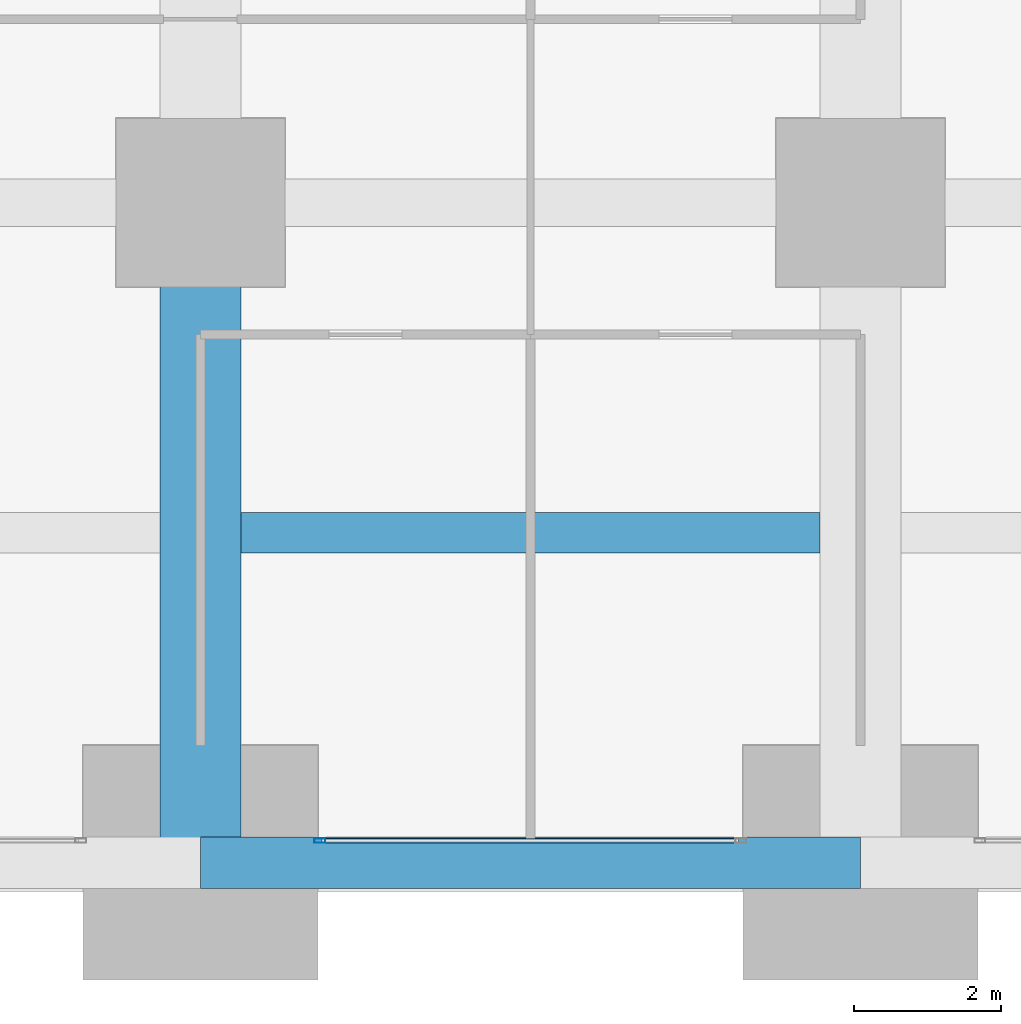
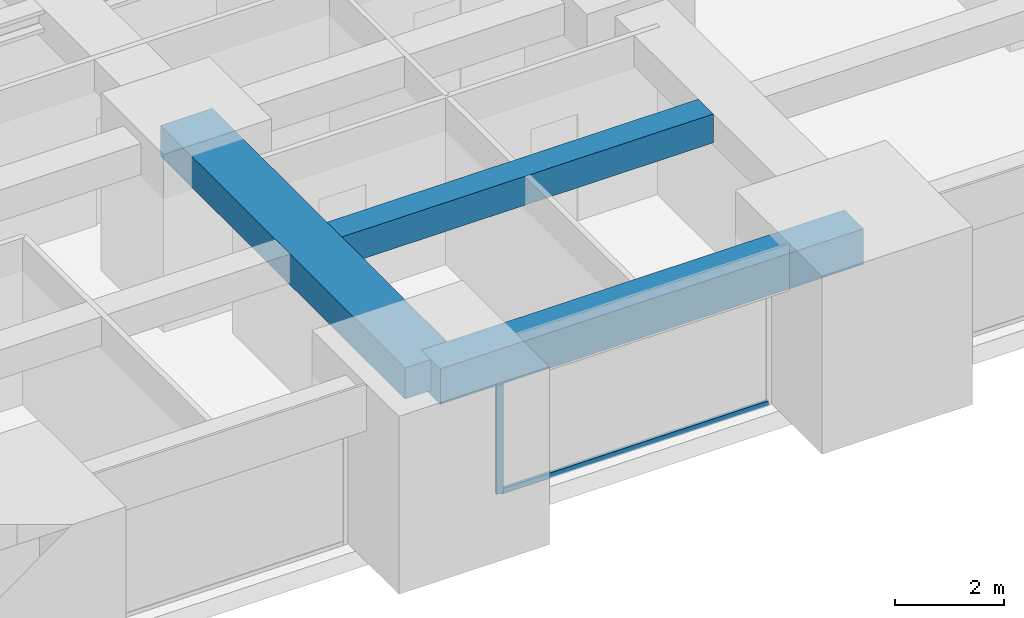
# One storey, part 7 of 50: 3 beams, 2 members, 1 element without a shape of its own.
"""IFC4 building model written with IfcOpenShell, lengths in metres."""

from ifc_helpers import new_model, si_unit, direction, frame, origin, origin_2d, place, context, subcontext, project, spatial, rectangle, hollow_rectangle, extrude, material, material_profile, profile_set, type_object, element, aggregate, save


model = new_model("IFC4")

# Units and contexts
model_context = context("Model", 3, precision=1e-05, world=origin(), true_north=direction((0.0, 1.0)))
body_context = subcontext(model_context, "Body", "Model", "MODEL_VIEW")
ifc_project = project(units=[si_unit("LENGTHUNIT", "METRE"), si_unit("AREAUNIT", "SQUARE_METRE"), si_unit("VOLUMEUNIT", "CUBIC_METRE"), si_unit("PLANEANGLEUNIT", "RADIAN"), si_unit("MASSUNIT", "GRAM", prefix="KILO")], contexts=[model_context])

# Site, building, storey
site_placement = place(None, origin())
site = spatial("IfcSite", under=ifc_project, at=site_placement, CompositionType="ELEMENT")
building_placement = place(site_placement, origin())
building = spatial("IfcBuilding", under=site, at=building_placement, Name="Zorevar Civic Tower", CompositionType="ELEMENT")
storey_placement = place(building_placement, frame((0.0, 0.0, 85.0)))
storey = spatial("IfcBuildingStorey", under=building, at=storey_placement, Name="L20", CompositionType="ELEMENT", Elevation=85.0)

# Beams
ifc_material_1 = material(Name="Concrete C50/60", Category="concrete")
ifc_material_profile_1 = material_profile(ifc_material_1, rectangle(XDim=1.10009765625, YDim=0.699951171875, at=origin_2d()), Name="RC 1100x700")
ifc_profile_set_1 = profile_set([ifc_material_profile_1], Name="Concrete C50/60")
beam_type_1 = type_object("IfcBeamType", Name="Beam RC 1100x700", PredefinedType="BEAM", material=ifc_profile_set_1)
beam_1_placement = place(storey_placement, frame((27.0, 0.0, 3.39990234375), z_axis=(0.0, 1.0, 0.0), x_axis=(-1.0, 0.0, 0.0)))
element("IfcBeam", 1, at=beam_1_placement, inside=storey, type_object=beam_type_1, Name="Girder L21", PredefinedType="BEAM", context=body_context, shape_type="SweptSolid", body=[
    extrude(rectangle(XDim=1.10009765625, YDim=0.699951171875, at=origin_2d()), origin(), (0.0, 0.0, 1.0), 9.0),
])
ifc_material_2 = material(Name="Concrete C50/60", Category="concrete")
ifc_material_profile_2 = material_profile(ifc_material_2, rectangle(XDim=0.550048828125, YDim=0.64990234375, at=origin_2d()), Name="RC 550x650")
ifc_profile_set_2 = profile_set([ifc_material_profile_2], Name="Concrete C50/60")
beam_type_2 = type_object("IfcBeamType", Name="Beam RC 550x650", PredefinedType="BEAM", material=ifc_profile_set_2)
beam_2_placement = place(storey_placement, frame((27.550048828125, 4.5, 3.425048828125), z_axis=(1.0, 0.0, 0.0), x_axis=(0.0, 1.0, 0.0)))
element("IfcBeam", 2, at=beam_2_placement, inside=storey, type_object=beam_type_2, Name="Secondary beam L21", PredefinedType="BEAM", context=body_context, shape_type="SweptSolid", body=[
    extrude(rectangle(XDim=0.550048828125, YDim=0.64990234375, at=origin_2d()), origin(), (0.0, 0.0, 1.0), 7.89990234375),
])

# Curtain wall, members
ifc_material_3 = material(Name="Dark grey solar-control glass in black aluminium frame", Category="aluminium")
curtain_wall_type = type_object("IfcCurtainWallType", Name="Curtain wall CW3 mid zone", PredefinedType="NOTDEFINED", material=ifc_material_3)
curtain_wall_placement = place(storey_placement, origin())
curtain_wall = element("IfcCurtainWall", 3, at=curtain_wall_placement, inside=storey, type_object=curtain_wall_type, Name="CW3 L20", PredefinedType="NOTDEFINED")
ifc_material_4 = material(Name="Aluminium, black anodised", Category="aluminium")
ifc_material_profile_3 = material_profile(ifc_material_4, hollow_rectangle(XDim=0.06005859375, YDim=0.14990234375, WallThickness=0.00390625, at=origin_2d()), Name="AL 150x60x4")
ifc_profile_set_3 = profile_set([ifc_material_profile_3], Name="Aluminium, black anodised")
member_type_1 = type_object("IfcMemberType", Name="CW3 mullion AL 150x60x4", PredefinedType="MULLION", material=ifc_profile_set_3)
member_1_placement = place(storey_placement, frame((28.6298828125, 0.300048828125, 0.0), z_axis=(0.0, 0.0, 1.0), x_axis=(0.0, 1.0, 0.0)))
member_1 = element("IfcMember", 4, at=member_1_placement, type_object=member_type_1, Name="CW3 mullion 1", PredefinedType="MULLION", context=body_context, shape_type="SweptSolid", body=[
    extrude(hollow_rectangle(XDim=0.06005859375, YDim=0.14990234375, WallThickness=0.00390625, at=origin_2d()), origin(), (0.0, 0.0, 1.0), 2.949951171875),
])
ifc_material_5 = material(Name="Aluminium, black anodised", Category="aluminium")
ifc_material_profile_4 = material_profile(ifc_material_5, hollow_rectangle(XDim=0.06005859375, YDim=0.1201171875, WallThickness=0.0029296875, at=origin_2d()), Name="AL 120x60x3")
ifc_profile_set_4 = profile_set([ifc_material_profile_4], Name="Aluminium, black anodised")
member_type_2 = type_object("IfcMemberType", Name="CW3 transom AL 120x60x3", PredefinedType="USERDEFINED", material=ifc_profile_set_4)
member_2_placement = place(storey_placement, frame((28.659912109375, 0.300048828125, 0.030029296875), z_axis=(1.0, 0.0, 0.0), x_axis=(0.0, 1.0, 0.0)))
member_2 = element("IfcMember", 5, at=member_2_placement, type_object=member_type_2, Name="CW3 sill transom", ObjectType="TRANSOM", PredefinedType="USERDEFINED", context=body_context, shape_type="SweptSolid", body=[
    extrude(hollow_rectangle(XDim=0.06005859375, YDim=0.1201171875, WallThickness=0.0029296875, at=origin_2d()), origin(), (0.0, 0.0, 1.0), 5.68017578125),
])
aggregate(curtain_wall, [member_1, member_2])

# Beam
ifc_material_6 = material(Name="Concrete C50/60", Category="concrete")
ifc_material_profile_5 = material_profile(ifc_material_6, rectangle(XDim=0.699951171875, YDim=0.800048828125, at=origin_2d()), Name="RC 700x800")
ifc_profile_set_5 = profile_set([ifc_material_profile_5], Name="Concrete C50/60")
beam_type_3 = type_object("IfcBeamType", Name="Edge beam RC 700x800", PredefinedType="SPANDREL", material=ifc_profile_set_5)
beam_3_placement = place(storey_placement, frame((27.0, 0.0, 3.35009765625), z_axis=(1.0, 0.0, 0.0), x_axis=(0.0, 1.0, 0.0)))
element("IfcBeam", 6, at=beam_3_placement, inside=storey, type_object=beam_type_3, Name="Edge beam L21", PredefinedType="SPANDREL", context=body_context, shape_type="SweptSolid", body=[
    extrude(rectangle(XDim=0.699951171875, YDim=0.800048828125, at=origin_2d()), origin(), (0.0, 0.0, 1.0), 9.0),
])

save(model, "model.ifc")
